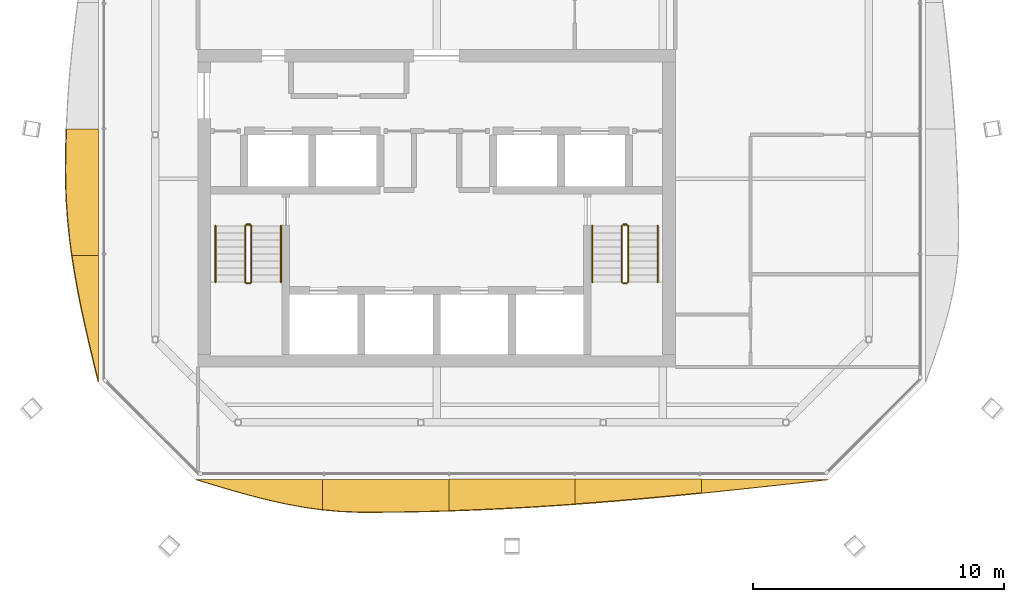
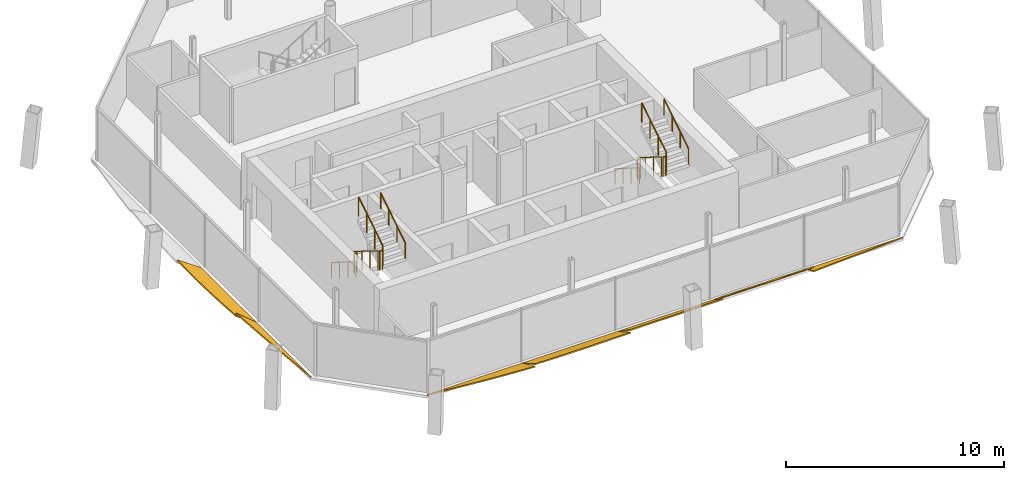
# One storey, part 12 of 14: 12 railings, 7 shading devices.
"""IFC4 building model written with IfcOpenShell, lengths in metres."""

from ifc_helpers import new_model, si_unit, direction, frame, origin, origin_2d, place, context, subcontext, project, spatial, polyline, circle, outline, extrude, material, layer, layer_set, type_object, element, save


model = new_model("IFC4")

# Units and contexts
model_context = context("Model", 3, precision=1e-05, world=origin(), true_north=direction((0.0, 1.0)))
body_context = subcontext(model_context, "Body", "Model", "MODEL_VIEW")
ifc_project = project(units=[si_unit("LENGTHUNIT", "METRE"), si_unit("AREAUNIT", "SQUARE_METRE"), si_unit("VOLUMEUNIT", "CUBIC_METRE"), si_unit("PLANEANGLEUNIT", "RADIAN"), si_unit("MASSUNIT", "GRAM", prefix="KILO")], contexts=[model_context])

# Site, building, storey
site_placement = place(None, origin())
site = spatial("IfcSite", under=ifc_project, at=site_placement, CompositionType="ELEMENT")
building_placement = place(site_placement, origin())
building = spatial("IfcBuilding", under=site, at=building_placement, Name="Tskaro Facet Tower", CompositionType="ELEMENT")
storey_placement = place(building_placement, frame((0.0, 0.0, 272.10009765625)))
storey = spatial("IfcBuildingStorey", under=building, at=storey_placement, Name="L72", CompositionType="ELEMENT", Elevation=272.10009765625)

# Shading devices
ifc_material_1 = material(Name="Bronze anodised aluminium 6063-T6", Category="aluminium")
ifc_layer = layer(ifc_material_1, 0.06005859375, Name="Bronze anodised aluminium 6063-T6")
ifc_layer_set = layer_set([ifc_layer], Name="Bronze anodised aluminium 6063-T6")
shading_device_type = type_object("IfcShadingDeviceType", Name="Bronze sun blade (FN1)", PredefinedType="USERDEFINED", material=ifc_layer_set)
shading_device_1_placement = place(storey_placement, frame((-9.5830078125, -16.470703125, 0.05419921875), z_axis=(2.560775e-06, 0.422691683477, 0.906273546295), x_axis=(0.999999999997, -1.082418e-06, -2.320762e-06)))
element("IfcShadingDevice", 1, at=shading_device_1_placement, inside=storey, type_object=shading_device_type, Name="Fin blade south 1", ObjectType="FIN", PredefinedType="USERDEFINED", context=body_context, shape_type="SweptSolid", body=[
    extrude(outline(polyline([(0.0, 0.0), (5.033203124983498, 0.0), (5.033203124972104, -1.3313252432174632), (4.314208984523414, -1.220574454458668), (3.5952148439804352, -1.0750895864808674), (2.8762207030386264, -0.8992363400185777), (2.1569824218635616, -0.6977197359745577), (1.437988281286493, -0.476542612858769), (0.7189941402636741, -0.2417078091811728), (0.0, 0.0)])), origin(), (0.0, 0.0, -1.0), 0.06005859375),
])
shading_device_2_placement = place(storey_placement, frame((-4.5498046875, -16.466064453125, 0.0517578125), z_axis=(2.558955e-06, 0.500082114886, 0.865977989538), x_axis=(0.999999999997, -1.279687e-06, -2.215998e-06)))
element("IfcShadingDevice", 2, at=shading_device_2_placement, inside=storey, type_object=shading_device_type, Name="Fin blade south 2", ObjectType="FIN", PredefinedType="USERDEFINED", context=body_context, shape_type="SweptSolid", body=[
    extrude(outline(polyline([(0.0, 0.0), (5.033203124983521, -1.0658222192745762e-21), (5.033203124978452, -1.4445835440333763), (4.314208984318241, -1.467991775148247), (3.5952148439017395, -1.4857065137901024), (2.8762207029593396, -1.4981833610867048), (2.1569824221766654, -1.5048446255502117), (1.6608886718049385, -1.5060565782608628), (1.4379882811577636, -1.5040882739673231), (0.7189941405190847, -1.469415148266501), (-5.958214221464243e-11, -1.3932855420412698), (0.0, 0.0)])), origin(), (0.0, 0.0, -1.0), 0.06005859375),
])
shading_device_3_placement = place(storey_placement, frame((0.4833984375, -16.461669921875, 0.049072265625), z_axis=(7.435409e-06, 0.573598325047, 0.819136717189), x_axis=(0.999999999972, -4.264938e-06, -6.090617e-06)))
element("IfcShadingDevice", 3, at=shading_device_3_placement, inside=storey, type_object=shading_device_type, Name="Fin blade south 3", ObjectType="FIN", PredefinedType="USERDEFINED", context=body_context, shape_type="SweptSolid", body=[
    extrude(outline(polyline([(0.0, 0.0), (5.033203124860869, 4.263288877098305e-21), (5.033203125601533, -1.2025468560189367), (4.314208983882605, -1.2640492781087356), (3.5952148443886105, -1.3208714681040674), (2.876220703550092, -1.3727534955583107), (2.1569824211877804, -1.4193553372677856), (1.4379882810798723, -1.4607369391290124), (0.7189941400731631, -1.4968383552454703), (1.0034219948301291e-10, -1.5271795237598993), (0.0, 0.0)])), origin(), (0.0, 0.0, -1.0), 0.06005859375),
])
shading_device_4_placement = place(storey_placement, frame((5.5166015625, -16.45751953125, 0.0458984375), z_axis=(-6.111713e-06, 0.642805854377, 0.766029133611), x_axis=(0.999999999981, 3.928645e-06, 4.68175e-06)))
element("IfcShadingDevice", 4, at=shading_device_4_placement, inside=storey, type_object=shading_device_type, Name="Fin blade south 4", ObjectType="FIN", PredefinedType="USERDEFINED", context=body_context, shape_type="SweptSolid", body=[
    extrude(outline(polyline([(0.0, 0.0), (5.033203124905997, -2.1316444385491523e-21), (5.033203125621674, -0.706676827213365), (4.314208984017878, -0.7999224254745011), (3.59521484304532, -0.8903863090912638), (2.876220702336273, -0.9773805703546615), (2.156982422224884, -1.0607181904332426), (1.4379882816751326, -1.140085299280919), (0.7189941410211652, -1.215294878066239), (7.911803099300318e-11, -1.2860029729347062), (0.0, 0.0)])), origin(), (0.0, 0.0, -1.0), 0.06005859375),
])
shading_device_5_placement = place(storey_placement, frame((10.5498046875, -16.4755859375, 0.056396484375), z_axis=(3.3260604e-05, 0.341776584544, 0.939781232602), x_axis=(0.999999999447, -1.1367696e-05, -3.1257691e-05)))
element("IfcShadingDevice", 5, at=shading_device_5_placement, inside=storey, type_object=shading_device_type, Name="Fin blade south 5", ObjectType="FIN", PredefinedType="USERDEFINED", context=body_context, shape_type="SweptSolid", body=[
    extrude(outline(polyline([(0.0, 0.0), (5.033203122215965, 0.0), (4.314208986251651, -0.0846431442861952), (3.5952148398807475, -0.1691402913437798), (2.8762207032217564, -0.2530116777481149), (2.156982422467908, -0.3358818674929723), (1.4379882788689307, -0.41775086057835187), (0.7189941387365564, -0.4977634575733866), (-5.560487388703338e-09, -0.5760031000270833), (0.0, 0.0)])), origin(), (0.0, 0.0, -1.0), 0.06005859375),
])
shading_device_6_placement = place(storey_placement, frame((-13.461669921875, -2.510986328125, 0.049072265625), z_axis=(0.573606003381, -1.0528873e-05, 0.819131340369), x_axis=(-6.039425e-06, -0.999999999945, -8.62453e-06)))
element("IfcShadingDevice", 6, at=shading_device_6_placement, inside=storey, type_object=shading_device_type, Name="Fin blade west 3", ObjectType="FIN", PredefinedType="USERDEFINED", context=body_context, shape_type="SweptSolid", body=[
    extrude(outline(polyline([(0.0, 0.0), (5.036132812220854, -4.265770418935964e-21), (5.036132812285671, -1.2896502686311302), (4.316650391502989, -1.4034346863433982), (3.597167968146268, -1.4917581544763256), (2.877685546845621, -1.5531205374394048), (2.1582031244399, -1.586241837989253), (1.6921386713517386, -1.5922020701318464), (1.438964843028561, -1.5913220393632752), (0.7194824224336888, -1.5787215275469224), (-9.254236187193084e-10, -1.5517004996678452), (0.0, 0.0)])), origin(), (0.0, 0.0, -1.0), 0.06005859375),
])
shading_device_7_placement = place(storey_placement, frame((-13.45751953125, -7.547119140625, 0.0458984375), z_axis=(0.64281849299, 3.012569e-06, 0.766018527883), x_axis=(1.936535e-06, -0.999999999995, 2.307684e-06)))
element("IfcShadingDevice", 7, at=shading_device_7_placement, inside=storey, type_object=shading_device_type, Name="Fin blade west 4", ObjectType="FIN", PredefinedType="USERDEFINED", context=body_context, shape_type="SweptSolid", body=[
    extrude(outline(polyline([(0.0, 0.0), (5.035888671852148, 1.0663909059457064e-21), (4.316406250249231, -0.2289113413812658), (3.5969238280317506, -0.45350821431076216), (2.8776855464275553, -0.6701339809048024), (2.1582031251716702, -0.8746010326867388), (1.4387207033289582, -1.062968933689122), (0.7192382811200926, -1.2321120166212256), (-4.5853730366224364e-11, -1.3790615523009646), (0.0, 0.0)])), origin(), (0.0, 0.0, -1.0), 0.06005859375),
])

# Railings
ifc_material_2 = material(Name="Stainless steel", Category="steel")
railing_type_1 = type_object("IfcRailingType", Name="RL-GUARD-1100", PredefinedType="GUARDRAIL", material=ifc_material_2)
railing_1_placement = place(storey_placement, frame((-7.625, -6.375, 0.1748046875)))
element("IfcRailing", 8, at=railing_1_placement, inside=storey, type_object=railing_type_1, Name="L72 ST-1 stair guard 1", PredefinedType="GUARDRAIL", context=body_context, shape_type="SweptSolid", body=[
    extrude(circle(Radius=0.02392578125, at=origin_2d()), frame((0.0, 0.0, 1.076171875), z_axis=(0.0, -0.847972341737, 0.530040477369), x_axis=(1.0, 0.0, 0.0)), (0.0, 0.0, 1.0), 2.6416015625),
    extrude(circle(Radius=0.02099609375, at=origin_2d()), origin(), (0.0, 0.0, 1.0), 1.052001953125),
    extrude(circle(Radius=0.02099609375, at=origin_2d()), frame((0.0, -0.74658203125, 0.466796875)), (0.0, 0.0, 1.0), 1.052001953125),
    extrude(circle(Radius=0.02099609375, at=origin_2d()), frame((0.0, -1.493408203125, 0.933349609375)), (0.0, 0.0, 1.0), 1.052001953125),
    extrude(circle(Radius=0.02099609375, at=origin_2d()), frame((0.0, -2.239990234375, 1.400146484375)), (0.0, 0.0, 1.0), 1.052001953125),
])
railing_2_placement = place(storey_placement, frame((-7.574951171875, -8.6650390625, 1.574951171875)))
element("IfcRailing", 9, at=railing_2_placement, inside=storey, type_object=railing_type_1, Name="L72 ST-1 stair guard 2", PredefinedType="GUARDRAIL", context=body_context, shape_type="SweptSolid", body=[
    extrude(circle(Radius=0.02392578125, at=origin_2d()), frame((0.0, 0.0, 1.076171875), z_axis=(1.0, 0.0, 0.0), x_axis=(0.0, 1.0, 0.0)), (0.0, 0.0, 1.0), 0.14990234375),
    extrude(circle(Radius=0.02099609375, at=origin_2d()), origin(), (0.0, 0.0, 1.0), 1.052001953125),
    extrude(circle(Radius=0.02099609375, at=origin_2d()), frame((0.14990234375, 0.0, 0.0)), (0.0, 0.0, 1.0), 1.052001953125),
])
railing_3_placement = place(storey_placement, frame((-7.375, -8.614990234375, 1.75)))
element("IfcRailing", 10, at=railing_3_placement, inside=storey, type_object=railing_type_1, Name="L72 ST-1 stair guard 3", PredefinedType="GUARDRAIL", context=body_context, shape_type="SweptSolid", body=[
    extrude(circle(Radius=0.02392578125, at=origin_2d()), frame((0.0, 0.0, 1.076171875), z_axis=(0.0, 0.848013881152, 0.529974015752), x_axis=(-1.0, 0.0, 0.0)), (0.0, 0.0, 1.0), 2.641357421875),
    extrude(circle(Radius=0.02099609375, at=origin_2d()), origin(), (0.0, 0.0, 1.0), 1.052001953125),
    extrude(circle(Radius=0.02099609375, at=origin_2d()), frame((0.0, 0.74658203125, 0.466552734375)), (0.0, 0.0, 1.0), 1.052001953125),
    extrude(circle(Radius=0.02099609375, at=origin_2d()), frame((0.0, 1.493408203125, 0.933349609375)), (0.0, 0.0, 1.0), 1.052001953125),
    extrude(circle(Radius=0.02099609375, at=origin_2d()), frame((0.0, 2.239990234375, 1.39990234375)), (0.0, 0.0, 1.0), 1.052001953125),
])
railing_4_placement = place(storey_placement, frame((-7.574951171875, -6.324951171875, 0.0)))
element("IfcRailing", 11, at=railing_4_placement, inside=storey, type_object=railing_type_1, Name="L72 ST-1 stair guard 4", PredefinedType="GUARDRAIL", context=body_context, shape_type="SweptSolid", body=[
    extrude(circle(Radius=0.02392578125, at=origin_2d()), frame((0.0, 0.0, 1.076171875), z_axis=(1.0, 0.0, 0.0), x_axis=(0.0, 1.0, 0.0)), (0.0, 0.0, 1.0), 0.14990234375),
    extrude(circle(Radius=0.02099609375, at=origin_2d()), origin(), (0.0, 0.0, 1.0), 1.052001953125),
    extrude(circle(Radius=0.02099609375, at=origin_2d()), frame((0.14990234375, 0.0, 0.0)), (0.0, 0.0, 1.0), 1.052001953125),
])
railing_5_placement = place(storey_placement, frame((7.375, -6.375, 0.1748046875)))
element("IfcRailing", 12, at=railing_5_placement, inside=storey, type_object=railing_type_1, Name="L72 ST-2 stair guard 1", PredefinedType="GUARDRAIL", context=body_context, shape_type="SweptSolid", body=[
    extrude(circle(Radius=0.02392578125, at=origin_2d()), frame((0.0, 0.0, 1.076171875), z_axis=(0.0, -0.847972341737, 0.530040477369), x_axis=(1.0, 0.0, 0.0)), (0.0, 0.0, 1.0), 2.6416015625),
    extrude(circle(Radius=0.02099609375, at=origin_2d()), origin(), (0.0, 0.0, 1.0), 1.052001953125),
    extrude(circle(Radius=0.02099609375, at=origin_2d()), frame((0.0, -0.74658203125, 0.466796875)), (0.0, 0.0, 1.0), 1.052001953125),
    extrude(circle(Radius=0.02099609375, at=origin_2d()), frame((0.0, -1.493408203125, 0.933349609375)), (0.0, 0.0, 1.0), 1.052001953125),
    extrude(circle(Radius=0.02099609375, at=origin_2d()), frame((0.0, -2.239990234375, 1.400146484375)), (0.0, 0.0, 1.0), 1.052001953125),
])
railing_6_placement = place(storey_placement, frame((7.425048828125, -8.6650390625, 1.574951171875)))
element("IfcRailing", 13, at=railing_6_placement, inside=storey, type_object=railing_type_1, Name="L72 ST-2 stair guard 2", PredefinedType="GUARDRAIL", context=body_context, shape_type="SweptSolid", body=[
    extrude(circle(Radius=0.02392578125, at=origin_2d()), frame((0.0, 0.0, 1.076171875), z_axis=(1.0, 0.0, 0.0), x_axis=(0.0, 1.0, 0.0)), (0.0, 0.0, 1.0), 0.14990234375),
    extrude(circle(Radius=0.02099609375, at=origin_2d()), origin(), (0.0, 0.0, 1.0), 1.052001953125),
    extrude(circle(Radius=0.02099609375, at=origin_2d()), frame((0.14990234375, 0.0, 0.0)), (0.0, 0.0, 1.0), 1.052001953125),
])
railing_7_placement = place(storey_placement, frame((7.625, -8.614990234375, 1.75)))
element("IfcRailing", 14, at=railing_7_placement, inside=storey, type_object=railing_type_1, Name="L72 ST-2 stair guard 3", PredefinedType="GUARDRAIL", context=body_context, shape_type="SweptSolid", body=[
    extrude(circle(Radius=0.02392578125, at=origin_2d()), frame((0.0, 0.0, 1.076171875), z_axis=(0.0, 0.848013881152, 0.529974015752), x_axis=(-1.0, 0.0, 0.0)), (0.0, 0.0, 1.0), 2.641357421875),
    extrude(circle(Radius=0.02099609375, at=origin_2d()), origin(), (0.0, 0.0, 1.0), 1.052001953125),
    extrude(circle(Radius=0.02099609375, at=origin_2d()), frame((0.0, 0.74658203125, 0.466552734375)), (0.0, 0.0, 1.0), 1.052001953125),
    extrude(circle(Radius=0.02099609375, at=origin_2d()), frame((0.0, 1.493408203125, 0.933349609375)), (0.0, 0.0, 1.0), 1.052001953125),
    extrude(circle(Radius=0.02099609375, at=origin_2d()), frame((0.0, 2.239990234375, 1.39990234375)), (0.0, 0.0, 1.0), 1.052001953125),
])
railing_8_placement = place(storey_placement, frame((7.425048828125, -6.324951171875, 0.0)))
element("IfcRailing", 15, at=railing_8_placement, inside=storey, type_object=railing_type_1, Name="L72 ST-2 stair guard 4", PredefinedType="GUARDRAIL", context=body_context, shape_type="SweptSolid", body=[
    extrude(circle(Radius=0.02392578125, at=origin_2d()), frame((0.0, 0.0, 1.076171875), z_axis=(1.0, 0.0, 0.0), x_axis=(0.0, 1.0, 0.0)), (0.0, 0.0, 1.0), 0.14990234375),
    extrude(circle(Radius=0.02099609375, at=origin_2d()), origin(), (0.0, 0.0, 1.0), 1.052001953125),
    extrude(circle(Radius=0.02099609375, at=origin_2d()), frame((0.14990234375, 0.0, 0.0)), (0.0, 0.0, 1.0), 1.052001953125),
])
railing_type_2 = type_object("IfcRailingType", Name="RL-HANDRAIL-900", PredefinedType="HANDRAIL", material=ifc_material_2)
railing_9_placement = place(storey_placement, frame((-8.800048828125, -6.375, 0.1748046875)))
element("IfcRailing", 16, at=railing_9_placement, inside=storey, type_object=railing_type_2, Name="L72 ST-1 stair handrail 1", PredefinedType="HANDRAIL", context=body_context, shape_type="SweptSolid", body=[
    extrude(circle(Radius=0.02392578125, at=origin_2d()), frame((0.0, 0.0, 0.8759765625), z_axis=(0.0, -0.847972341737, 0.530040477369), x_axis=(1.0, 0.0, 0.0)), (0.0, 0.0, 1.0), 2.6416015625),
    extrude(circle(Radius=0.02099609375, at=origin_2d()), origin(), (0.0, 0.0, 1.0), 0.851806640625),
    extrude(circle(Radius=0.02099609375, at=origin_2d()), frame((0.0, -0.74658203125, 0.466796875)), (0.0, 0.0, 1.0), 0.851806640625),
    extrude(circle(Radius=0.02099609375, at=origin_2d()), frame((0.0, -1.493408203125, 0.933349609375)), (0.0, 0.0, 1.0), 0.851806640625),
    extrude(circle(Radius=0.02099609375, at=origin_2d()), frame((0.0, -2.239990234375, 1.400146484375)), (0.0, 0.0, 1.0), 0.851806640625),
])
railing_10_placement = place(storey_placement, frame((-6.199951171875, -8.614990234375, 1.75)))
element("IfcRailing", 17, at=railing_10_placement, inside=storey, type_object=railing_type_2, Name="L72 ST-1 stair handrail 2", PredefinedType="HANDRAIL", context=body_context, shape_type="SweptSolid", body=[
    extrude(circle(Radius=0.02392578125, at=origin_2d()), frame((0.0, 0.0, 0.8759765625), z_axis=(0.0, 0.848013881152, 0.529974015752), x_axis=(-1.0, 0.0, 0.0)), (0.0, 0.0, 1.0), 2.641357421875),
    extrude(circle(Radius=0.02099609375, at=origin_2d()), origin(), (0.0, 0.0, 1.0), 0.851806640625),
    extrude(circle(Radius=0.02099609375, at=origin_2d()), frame((0.0, 0.74658203125, 0.466552734375)), (0.0, 0.0, 1.0), 0.851806640625),
    extrude(circle(Radius=0.02099609375, at=origin_2d()), frame((0.0, 1.493408203125, 0.933349609375)), (0.0, 0.0, 1.0), 0.851806640625),
    extrude(circle(Radius=0.02099609375, at=origin_2d()), frame((0.0, 2.239990234375, 1.39990234375)), (0.0, 0.0, 1.0), 0.851806640625),
])
railing_11_placement = place(storey_placement, frame((6.199951171875, -6.375, 0.1748046875)))
element("IfcRailing", 18, at=railing_11_placement, inside=storey, type_object=railing_type_2, Name="L72 ST-2 stair handrail 1", PredefinedType="HANDRAIL", context=body_context, shape_type="SweptSolid", body=[
    extrude(circle(Radius=0.02392578125, at=origin_2d()), frame((0.0, 0.0, 0.8759765625), z_axis=(0.0, -0.847972341737, 0.530040477369), x_axis=(1.0, 0.0, 0.0)), (0.0, 0.0, 1.0), 2.6416015625),
    extrude(circle(Radius=0.02099609375, at=origin_2d()), origin(), (0.0, 0.0, 1.0), 0.851806640625),
    extrude(circle(Radius=0.02099609375, at=origin_2d()), frame((0.0, -0.74658203125, 0.466796875)), (0.0, 0.0, 1.0), 0.851806640625),
    extrude(circle(Radius=0.02099609375, at=origin_2d()), frame((0.0, -1.493408203125, 0.933349609375)), (0.0, 0.0, 1.0), 0.851806640625),
    extrude(circle(Radius=0.02099609375, at=origin_2d()), frame((0.0, -2.239990234375, 1.400146484375)), (0.0, 0.0, 1.0), 0.851806640625),
])
railing_12_placement = place(storey_placement, frame((8.800048828125, -8.614990234375, 1.75)))
element("IfcRailing", 19, at=railing_12_placement, inside=storey, type_object=railing_type_2, Name="L72 ST-2 stair handrail 2", PredefinedType="HANDRAIL", context=body_context, shape_type="SweptSolid", body=[
    extrude(circle(Radius=0.02392578125, at=origin_2d()), frame((0.0, 0.0, 0.8759765625), z_axis=(0.0, 0.848013881152, 0.529974015752), x_axis=(-1.0, 0.0, 0.0)), (0.0, 0.0, 1.0), 2.641357421875),
    extrude(circle(Radius=0.02099609375, at=origin_2d()), origin(), (0.0, 0.0, 1.0), 0.851806640625),
    extrude(circle(Radius=0.02099609375, at=origin_2d()), frame((0.0, 0.74658203125, 0.466552734375)), (0.0, 0.0, 1.0), 0.851806640625),
    extrude(circle(Radius=0.02099609375, at=origin_2d()), frame((0.0, 1.493408203125, 0.933349609375)), (0.0, 0.0, 1.0), 0.851806640625),
    extrude(circle(Radius=0.02099609375, at=origin_2d()), frame((0.0, 2.239990234375, 1.39990234375)), (0.0, 0.0, 1.0), 0.851806640625),
])

save(model, "model.ifc")
